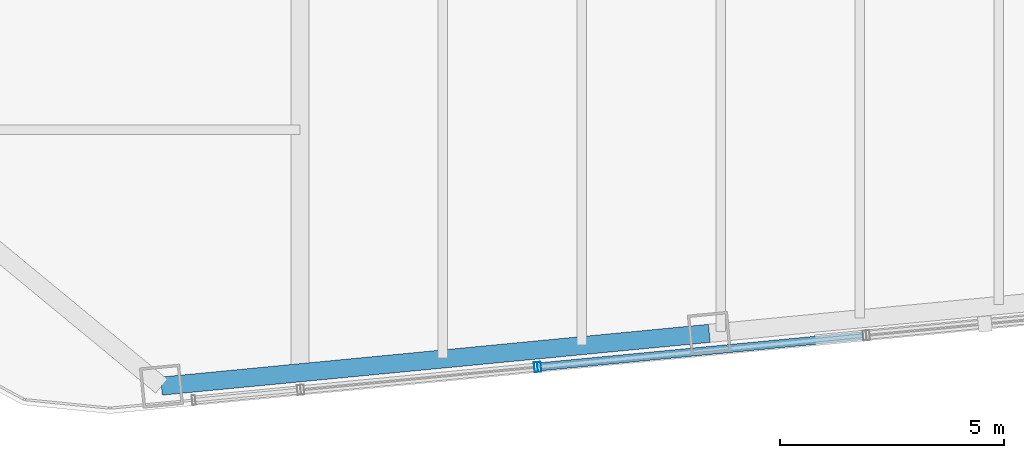
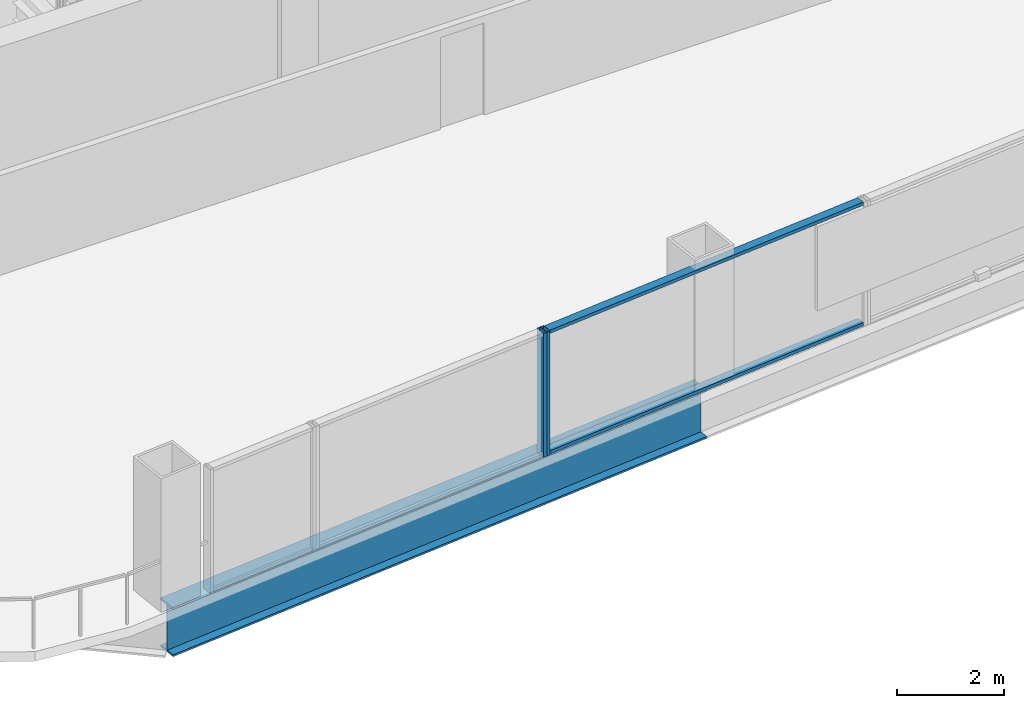
# One storey, part 4 of 26: 4 members, 1 beam, 2 elements without a shape of their own.
"""IFC4 building model written with IfcOpenShell, lengths in metres."""

from ifc_helpers import new_model, si_unit, direction, frame, origin, origin_2d, place, context, subcontext, project, spatial, hollow_rectangle, i_section, extrude, material, layer, layer_set, material_profile, profile_set, type_object, element, aggregate, save


model = new_model("IFC4")

# Units and contexts
model_context = context("Model", 3, precision=1e-05, world=origin(), true_north=direction((0.0, 1.0)))
body_context = subcontext(model_context, "Body", "Model", "MODEL_VIEW")
ifc_project = project(units=[si_unit("LENGTHUNIT", "METRE"), si_unit("AREAUNIT", "SQUARE_METRE"), si_unit("VOLUMEUNIT", "CUBIC_METRE"), si_unit("PLANEANGLEUNIT", "RADIAN"), si_unit("MASSUNIT", "GRAM", prefix="KILO")], contexts=[model_context])

# Site, building, storey
site_placement = place(None, origin())
site = spatial("IfcSite", under=ifc_project, at=site_placement, CompositionType="ELEMENT")
building_placement = place(site_placement, origin())
building = spatial("IfcBuilding", under=site, at=building_placement, Name="Qhalaya Broadcast Tower", CompositionType="ELEMENT")
storey_placement = place(building_placement, frame((0.0, 0.0, 72.5)))
storey = spatial("IfcBuildingStorey", under=building, at=storey_placement, Name="L20", CompositionType="ELEMENT", Elevation=72.5)

# Beam
ifc_material_1 = material(Name="Structural Steel ASTM A992 Grade 50", Category="steel")
ifc_material_profile_1 = material_profile(ifc_material_1, i_section(OverallWidth=0.404052734375, OverallDepth=1.117919921875, WebThickness=0.026123046875, FlangeThickness=0.044921875, at=origin_2d()), Name="W44X335")
ifc_profile_set_1 = profile_set([ifc_material_profile_1], Name="Structural Steel ASTM A992 Grade 50")
beam_type = type_object("IfcBeamType", Name="Podium Long-Span Primary Girder PG1", PredefinedType="USERDEFINED", material=ifc_profile_set_1)
beam_placement = place(storey_placement, frame((-12.46533203125, -22.212646484375, -0.779052734375), z_axis=(0.99539563662, 0.095851586307, 0.0), x_axis=(-0.095851586307, 0.99539563662, 0.0)))
element("IfcBeam", 1, at=beam_placement, inside=storey, type_object=beam_type, Name="L20 PG1 L20-SPR-01", ObjectType="GIRDER", PredefinedType="USERDEFINED", context=body_context, shape_type="SweptSolid", body=[
    extrude(i_section(OverallWidth=0.404052734375, OverallDepth=1.117919921875, WebThickness=0.026123046875, FlangeThickness=0.044921875, at=origin_2d()), origin(), (0.0, 0.0, 1.0), 12.2666015625),
])

# Curtain wall, member
ifc_material_2 = material(Name="Solar-Control Low-E Triple Glazing", Category="glass")
ifc_layer_1 = layer(ifc_material_2, 0.219970703125, Name="Solar-Control Low-E Triple Glazing")
ifc_layer_set_1 = layer_set([ifc_layer_1], Name="Solar-Control Low-E Triple Glazing")
curtain_wall_type_1 = type_object("IfcCurtainWallType", Name="Even-Block 4-Storey Double-Module Curtain Wall CW-03", PredefinedType="NOTDEFINED", material=ifc_layer_set_1)
curtain_wall_1_placement = place(storey_placement, origin())
curtain_wall_1 = element("IfcCurtainWall", 2, at=curtain_wall_1_placement, inside=storey, type_object=curtain_wall_type_1, Name="L20 Unitised Curtain Wall L20-CW-S2", PredefinedType="NOTDEFINED")
ifc_material_3 = material(Name="Anodised Aluminium 6063-T6", Category="aluminium")
ifc_material_profile_2 = material_profile(ifc_material_3, hollow_rectangle(XDim=0.074951171875, YDim=0.219970703125, WallThickness=0.00390625, at=origin_2d()), Name="ALU-MUL 75x220x4")
ifc_profile_set_2 = profile_set([ifc_material_profile_2], Name="Anodised Aluminium 6063-T6")
member_type_1 = type_object("IfcMemberType", Name="Unitised Curtain-Wall Mullion M01", PredefinedType="MULLION", material=ifc_profile_set_2)
member_1_placement = place(storey_placement, frame((-4.118896484375, -21.790771484375, 0.0), z_axis=(0.0, 0.0, 1.0), x_axis=(0.995395549991, 0.095852485923, 0.0)))
member_1 = element("IfcMember", 3, at=member_1_placement, type_object=member_type_1, Name="CW-03 mullion 2", PredefinedType="MULLION", context=body_context, shape_type="SweptSolid", body=[
    extrude(hollow_rectangle(XDim=0.074951171875, YDim=0.219970703125, WallThickness=0.00390625, at=origin_2d()), origin(), (0.0, 0.0, 1.0), 2.830078125),
])
aggregate(curtain_wall_1, [member_1])

# Curtain wall, members
ifc_material_4 = material(Name="Fired Architectural Terracotta", Category="masonry")
ifc_layer_2 = layer(ifc_material_4, 0.219970703125, Name="Fired Architectural Terracotta")
ifc_layer_set_2 = layer_set([ifc_layer_2], Name="Fired Architectural Terracotta")
curtain_wall_type_2 = type_object("IfcCurtainWallType", Name="Block-Cap Unitised Terracotta Spandrel Wall CW-07", PredefinedType="NOTDEFINED", material=ifc_layer_set_2)
curtain_wall_2_placement = place(storey_placement, origin())
curtain_wall_2 = element("IfcCurtainWall", 4, at=curtain_wall_2_placement, inside=storey, type_object=curtain_wall_type_2, Name="L20 Unitised Curtain Wall L20-CW-S3", PredefinedType="NOTDEFINED")
member_2_placement = place(storey_placement, frame((-4.044189453125, -21.783447265625, 0.0), z_axis=(0.0, 0.0, 1.0), x_axis=(0.995396450907, 0.095843129762, 0.0)))
member_2 = element("IfcMember", 5, at=member_2_placement, type_object=member_type_1, Name="CW-07 mullion 1", PredefinedType="MULLION", context=body_context, shape_type="SweptSolid", body=[
    extrude(hollow_rectangle(XDim=0.074951171875, YDim=0.219970703125, WallThickness=0.00390625, at=origin_2d()), origin(), (0.0, 0.0, 1.0), 2.830078125),
])
ifc_material_profile_3 = material_profile(ifc_material_3, hollow_rectangle(XDim=0.074951171875, YDim=0.179931640625, WallThickness=0.00390625, at=origin_2d()), Name="ALU-TRN 75x180x4")
ifc_profile_set_3 = profile_set([ifc_material_profile_3], Name="Anodised Aluminium 6063-T6")
member_type_2 = type_object("IfcMemberType", Name="Unitised Curtain-Wall Transom T01", PredefinedType="USERDEFINED", material=ifc_profile_set_3)
member_3_placement = place(storey_placement, frame((-4.0068359375, -21.780029296875, 0.03759765625), z_axis=(0.995395868945, 0.095849173639, 0.0), x_axis=(0.0, 0.0, 1.0)))
member_3 = element("IfcMember", 6, at=member_3_placement, type_object=member_type_2, Name="CW-07 transom 1.1", ObjectType="TRANSOM", PredefinedType="USERDEFINED", context=body_context, shape_type="SweptSolid", body=[
    extrude(hollow_rectangle(XDim=0.074951171875, YDim=0.179931640625, WallThickness=0.00390625, at=origin_2d()), origin(), (0.0, 0.0, 1.0), 7.2109375),
])
member_4_placement = place(storey_placement, frame((-4.0068359375, -21.780029296875, 2.79248046875), z_axis=(0.995395868945, 0.095849173639, 0.0), x_axis=(0.0, 0.0, 1.0)))
member_4 = element("IfcMember", 7, at=member_4_placement, type_object=member_type_2, Name="CW-07 transom 1.2", ObjectType="TRANSOM", PredefinedType="USERDEFINED", context=body_context, shape_type="SweptSolid", body=[
    extrude(hollow_rectangle(XDim=0.074951171875, YDim=0.179931640625, WallThickness=0.00390625, at=origin_2d()), origin(), (0.0, 0.0, 1.0), 7.2109375),
])
aggregate(curtain_wall_2, [member_2, member_3, member_4])

save(model, "model.ifc")
